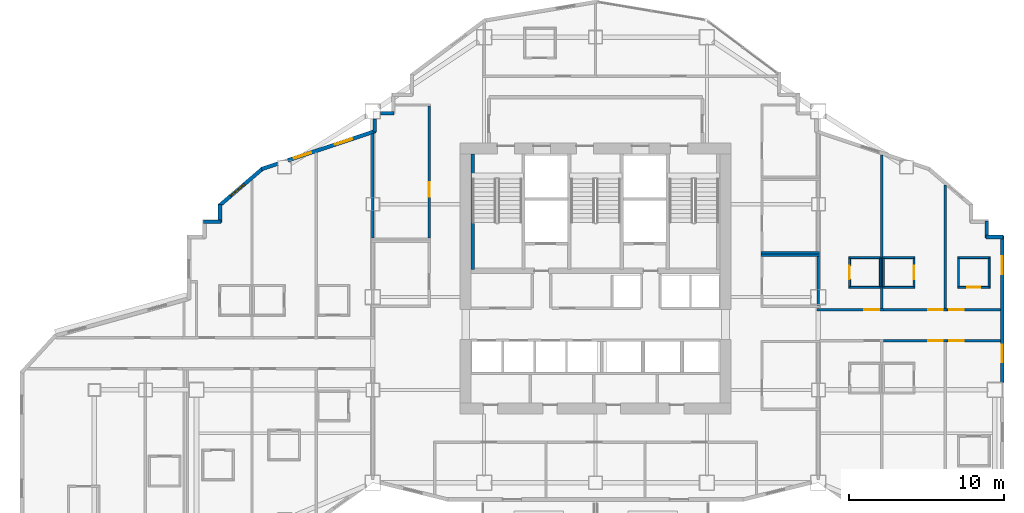
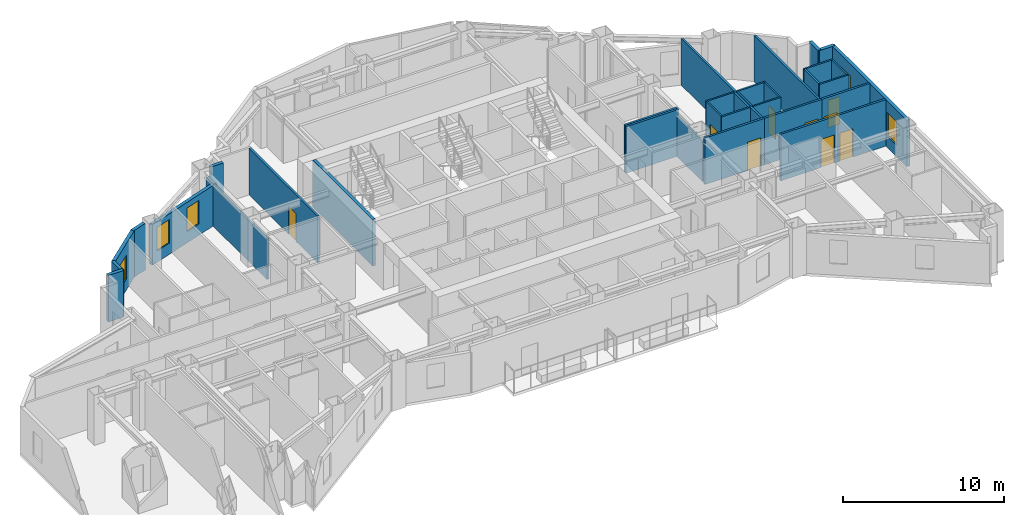
# One storey, part 11 of 15: 35 walls, 9 doors, 5 windows, 14 openings.
"""IFC4 building model written with IfcOpenShell, lengths in metres."""

from ifc_helpers import new_model, si_unit, direction, frame, frame_2d, origin, place, context, subcontext, project, spatial, rectangle, extrude, material, layer, layer_set, type_object, element, fill, save


model = new_model("IFC4")

# Units and contexts
model_context = context("Model", 3, precision=1e-05, world=origin(), true_north=direction((0.0, 1.0)))
body_context = subcontext(model_context, "Body", "Model", "MODEL_VIEW")
ifc_project = project(units=[si_unit("LENGTHUNIT", "METRE"), si_unit("AREAUNIT", "SQUARE_METRE"), si_unit("VOLUMEUNIT", "CUBIC_METRE"), si_unit("PLANEANGLEUNIT", "RADIAN"), si_unit("MASSUNIT", "GRAM", prefix="KILO")], contexts=[model_context])

# Site, building, storey
site_placement = place(None, origin())
site = spatial("IfcSite", under=ifc_project, at=site_placement, CompositionType="ELEMENT")
building_placement = place(site_placement, origin())
building = spatial("IfcBuilding", under=site, at=building_placement, Name="Haolan Belvedere Tower", CompositionType="ELEMENT")
storey_placement = place(building_placement, frame((0.0, 0.0, 156.199951171875)))
storey = spatial("IfcBuildingStorey", under=building, at=storey_placement, Name="L39", CompositionType="ELEMENT", Elevation=156.199951171875)

# Wall, openings, windows
ifc_material_1 = material(Name="Precast concrete C40/50", Category="concrete")
ifc_layer_1 = layer(ifc_material_1, 0.239990234375, Name="Precast concrete C40/50")
ifc_layer_set_1 = layer_set([ifc_layer_1], Name="Precast concrete C40/50")
wall_type_1 = type_object("IfcWallType", Name="WL-EXT-240", PredefinedType="SOLIDWALL", material=ifc_layer_set_1)
wall_1_placement = place(storey_placement, frame((64.679931640625, 28.092041015625, 0.0), z_axis=(0.0, 0.0, 1.0), x_axis=(0.0, 1.0, 0.0)))
wall_1 = element("IfcWall", 1, at=wall_1_placement, inside=storey, type_object=wall_type_1, Name="L39 pale-metal exterior spandrel wall 14.2", PredefinedType="SOLIDWALL", context=body_context, shape_type="SweptSolid", body=[
    extrude(rectangle(XDim=9.44287109375, YDim=0.239990234375, at=frame_2d((4.721435546875, 0.0))), origin(), (0.0, 0.0, 1.0), 3.5400390625),
])
opening_1_placement = place(wall_1_placement, frame((1.29296875, 0.0, 0.85009765625)))
opening_1 = element("IfcOpeningElement", 2, at=opening_1_placement, cuts=wall_1, Name="Opening W-02", PredefinedType="OPENING", context=body_context, shape_type="SweptSolid", body=[
    extrude(rectangle(XDim=1.14990234375, YDim=1.800048828125, at=frame_2d((0.574951171875, 0.89990234375))), frame((0.0, 0.1298828125, 0.0), z_axis=(0.0, -1.0, 0.0), x_axis=(1.0, 0.0, 0.0)), (0.0, 0.0, 1.0), 0.260009765625),
])
opening_2_placement = place(wall_1_placement, frame((7.0, 0.0, 0.85009765625)))
opening_2 = element("IfcOpeningElement", 3, at=opening_2_placement, cuts=wall_1, Name="Opening W-02", PredefinedType="OPENING", context=body_context, shape_type="SweptSolid", body=[
    extrude(rectangle(XDim=1.14990234375, YDim=1.800048828125, at=frame_2d((0.574951171875, 0.89990234375))), frame((0.0, 0.1298828125, 0.0), z_axis=(0.0, -1.0, 0.0), x_axis=(1.0, 0.0, 0.0)), (0.0, 0.0, 1.0), 0.260009765625),
])
ifc_material_2 = material(Name="Anodised aluminium 6063-T6 and Low-E glass", Category="aluminium")
window_type = type_object("IfcWindowType", Name="WN-DECO-Z2", PartitioningType="SINGLE_PANEL", PredefinedType="WINDOW", material=ifc_material_2)
window_1_placement = place(opening_1_placement, origin())
window_1 = element("IfcWindow", 4, at=window_1_placement, inside=storey, type_object=window_type, Name="L39 Art Deco chevron window 1", OverallHeight=1.800048828125, OverallWidth=1.14990234375, PartitioningType="SINGLE_PANEL", PredefinedType="WINDOW", context=body_context, shape_type="SweptSolid", body=[
    extrude(rectangle(XDim=1.14990234375, YDim=1.800048828125, at=frame_2d((0.574951171875, 0.89990234375))), frame((0.0, 0.030029296875, 0.0), z_axis=(0.0, -1.0, 0.0), x_axis=(1.0, 0.0, 0.0)), (0.0, 0.0, 1.0), 0.06005859375),
])
fill(opening_1, window_1)
window_2_placement = place(opening_2_placement, origin())
window_2 = element("IfcWindow", 5, at=window_2_placement, inside=storey, type_object=window_type, Name="L39 Art Deco chevron window 2", OverallHeight=1.800048828125, OverallWidth=1.14990234375, PartitioningType="SINGLE_PANEL", PredefinedType="WINDOW", context=body_context, shape_type="SweptSolid", body=[
    extrude(rectangle(XDim=1.14990234375, YDim=1.800048828125, at=frame_2d((0.574951171875, 0.89990234375))), frame((0.0, 0.030029296875, 0.0), z_axis=(0.0, -1.0, 0.0), x_axis=(1.0, 0.0, 0.0)), (0.0, 0.0, 1.0), 0.06005859375),
])
fill(opening_2, window_2)

# Walls
wall_2_placement = place(storey_placement, frame((64.735107421875, 37.47998046875, 0.0), z_axis=(0.0, 0.0, 1.0), x_axis=(-1.0, 0.0, 0.0)))
element("IfcWall", 6, at=wall_2_placement, inside=storey, type_object=wall_type_1, Name="L39 pale-metal exterior spandrel wall 15.1", PredefinedType="SOLIDWALL", context=body_context, shape_type="SweptSolid", body=[
    extrude(rectangle(XDim=1.110107421875, YDim=0.239990234375, at=frame_2d((0.55517578125, 0.0))), origin(), (0.0, 0.0, 1.0), 3.5400390625),
])
wall_3_placement = place(storey_placement, frame((63.679931640625, 37.425048828125, 0.0), z_axis=(0.0, 0.0, 1.0), x_axis=(0.0, 1.0, 0.0)))
element("IfcWall", 7, at=wall_3_placement, inside=storey, type_object=wall_type_1, Name="L39 pale-metal exterior spandrel wall 16.1", PredefinedType="SOLIDWALL", context=body_context, shape_type="SweptSolid", body=[
    extrude(rectangle(XDim=1.10986328125, YDim=0.239990234375, at=frame_2d((0.554931640625, 0.0))), origin(), (0.0, 0.0, 1.0), 3.5400390625),
])
wall_4_placement = place(storey_placement, frame((25.375, 45.47998046875, 0.0), z_axis=(0.0, 0.0, 1.0), x_axis=(-1.0, 0.0, 0.0)))
element("IfcWall", 8, at=wall_4_placement, inside=storey, type_object=wall_type_1, Name="L39 pale-metal exterior spandrel wall 33.1", PredefinedType="SOLIDWALL", context=body_context, shape_type="SweptSolid", body=[
    extrude(rectangle(XDim=0.883056640625, YDim=0.239990234375, at=frame_2d((0.44140625, 0.0))), origin(), (0.0, 0.0, 1.0), 3.5400390625),
])
wall_5_placement = place(storey_placement, frame((24.1201171875, 45.10791015625, 0.0), z_axis=(0.0, 0.0, 1.0), x_axis=(0.0, -1.0, 0.0)))
element("IfcWall", 9, at=wall_5_placement, inside=storey, type_object=wall_type_1, Name="L39 pale-metal exterior spandrel wall 34.1", PredefinedType="SOLIDWALL", context=body_context, shape_type="SweptSolid", body=[
    extrude(rectangle(XDim=0.849365234375, YDim=0.239990234375, at=frame_2d((0.4248046875, 0.0))), origin(), (0.0, 0.0, 1.0), 3.0849609375),
])

# Wall, openings, windows
wall_6_placement = place(storey_placement, frame((24.172119140625, 44.330810546875, 0.0), z_axis=(0.0, 0.0, 1.0), x_axis=(-0.948683298051, -0.316227766017, 0.0)))
wall_6 = element("IfcWall", 10, at=wall_6_placement, inside=storey, type_object=wall_type_1, Name="L39 pale-metal exterior spandrel wall 35.1", PredefinedType="SOLIDWALL", context=body_context, shape_type="SweptSolid", body=[
    extrude(rectangle(XDim=5.973388671875, YDim=0.239990234375, at=frame_2d((2.98681640625, 0.0))), origin(), (0.0, 0.0, 1.0), 3.0849609375),
])
opening_3_placement = place(wall_6_placement, frame((1.60009765625, 0.0, 0.85009765625)))
opening_3 = element("IfcOpeningElement", 11, at=opening_3_placement, cuts=wall_6, Name="Opening W-02", PredefinedType="OPENING", context=body_context, shape_type="SweptSolid", body=[
    extrude(rectangle(XDim=1.14990234375, YDim=1.800048828125, at=frame_2d((0.574951171875, 0.89990234375))), frame((0.0, 0.1298828125, 0.0), z_axis=(0.0, -1.0, 0.0), x_axis=(1.0, 0.0, 0.0)), (0.0, 0.0, 1.0), 0.260009765625),
])
opening_4_placement = place(wall_6_placement, frame((4.399658203125, 0.0, 0.85009765625)))
opening_4 = element("IfcOpeningElement", 12, at=opening_4_placement, cuts=wall_6, Name="Opening W-02", PredefinedType="OPENING", context=body_context, shape_type="SweptSolid", body=[
    extrude(rectangle(XDim=1.14990234375, YDim=1.800048828125, at=frame_2d((0.574951171875, 0.89990234375))), frame((0.0, 0.1298828125, 0.0), z_axis=(0.0, -1.0, 0.0), x_axis=(1.0, 0.0, 0.0)), (0.0, 0.0, 1.0), 0.260009765625),
])
window_3_placement = place(opening_3_placement, origin())
window_3 = element("IfcWindow", 13, at=window_3_placement, inside=storey, type_object=window_type, Name="L39 Art Deco chevron window 1", OverallHeight=1.800048828125, OverallWidth=1.14990234375, PartitioningType="SINGLE_PANEL", PredefinedType="WINDOW", context=body_context, shape_type="SweptSolid", body=[
    extrude(rectangle(XDim=1.14990234375, YDim=1.800048828125, at=frame_2d((0.574951171875, 0.89990234375))), frame((0.0, 0.030029296875, 0.0), z_axis=(0.0, -1.0, 0.0), x_axis=(1.0, 0.0, 0.0)), (0.0, 0.0, 1.0), 0.06005859375),
])
fill(opening_3, window_3)
window_4_placement = place(opening_4_placement, origin())
window_4 = element("IfcWindow", 14, at=window_4_placement, inside=storey, type_object=window_type, Name="L39 Art Deco guestroom window 1", OverallHeight=1.800048828125, OverallWidth=1.14990234375, PartitioningType="SINGLE_PANEL", PredefinedType="WINDOW", context=body_context, shape_type="SweptSolid", body=[
    extrude(rectangle(XDim=1.14990234375, YDim=1.800048828125, at=frame_2d((0.574951171875, 0.89990234375))), frame((0.0, 0.030029296875, 0.0), z_axis=(0.0, -1.0, 0.0), x_axis=(1.0, 0.0, 0.0)), (0.0, 0.0, 1.0), 0.06005859375),
])
fill(opening_4, window_4)

# Wall
wall_7_placement = place(storey_placement, frame((17.85791015625, 42.226318359375, 0.0), z_axis=(0.0, 0.0, 1.0), x_axis=(-0.948639166064, -0.316360131194, 0.0)))
element("IfcWall", 15, at=wall_7_placement, inside=storey, type_object=wall_type_1, Name="L39 pale-metal exterior spandrel wall 35.2", PredefinedType="SOLIDWALL", context=body_context, shape_type="SweptSolid", body=[
    extrude(rectangle(XDim=1.106689453125, YDim=0.239990234375, at=frame_2d((0.55322265625, 0.0))), origin(), (0.0, 0.0, 1.0), 3.5400390625),
])

# Wall, opening, window
wall_8_placement = place(storey_placement, frame((16.902099609375, 41.929443359375, 0.0), z_axis=(0.0, 0.0, 1.0), x_axis=(-0.759275136126, -0.650769750112, 0.0)))
wall_8 = element("IfcWall", 16, at=wall_8_placement, inside=storey, type_object=wall_type_1, Name="L39 pale-metal exterior spandrel wall 36.1", PredefinedType="SOLIDWALL", context=body_context, shape_type="SweptSolid", body=[
    extrude(rectangle(XDim=3.71923828125, YDim=0.239990234375, at=frame_2d((1.859619140625, 0.0))), origin(), (0.0, 0.0, 1.0), 3.5400390625),
])
opening_5_placement = place(wall_8_placement, frame((1.60009765625, 0.0, 0.85009765625)))
opening_5 = element("IfcOpeningElement", 17, at=opening_5_placement, cuts=wall_8, Name="Opening W-02", PredefinedType="OPENING", context=body_context, shape_type="SweptSolid", body=[
    extrude(rectangle(XDim=1.14990234375, YDim=1.800048828125, at=frame_2d((0.574951171875, 0.89990234375))), frame((0.0, 0.1298828125, 0.0), z_axis=(0.0, -1.0, 0.0), x_axis=(1.0, 0.0, 0.0)), (0.0, 0.0, 1.0), 0.260009765625),
])
window_5_placement = place(opening_5_placement, origin())
window_5 = element("IfcWindow", 18, at=window_5_placement, inside=storey, type_object=window_type, Name="L39 Art Deco chevron window 1", OverallHeight=1.800048828125, OverallWidth=1.14990234375, PartitioningType="SINGLE_PANEL", PredefinedType="WINDOW", context=body_context, shape_type="SweptSolid", body=[
    extrude(rectangle(XDim=1.14990234375, YDim=1.800048828125, at=frame_2d((0.574951171875, 0.89990234375))), frame((0.0, 0.030029296875, 0.0), z_axis=(0.0, -1.0, 0.0), x_axis=(1.0, 0.0, 0.0)), (0.0, 0.0, 1.0), 0.06005859375),
])
fill(opening_5, window_5)

# Walls
wall_9_placement = place(storey_placement, frame((14.1201171875, 39.599853515625, 0.0), z_axis=(0.0, 0.0, 1.0), x_axis=(0.0, -1.0, 0.0)))
element("IfcWall", 19, at=wall_9_placement, inside=storey, type_object=wall_type_1, Name="L39 pale-metal exterior spandrel wall 37.1", PredefinedType="SOLIDWALL", context=body_context, shape_type="SweptSolid", body=[
    extrude(rectangle(XDim=1.1748046875, YDim=0.239990234375, at=frame_2d((0.58740234375, 0.0))), origin(), (0.0, 0.0, 1.0), 3.5400390625),
])
wall_10_placement = place(storey_placement, frame((14.175048828125, 38.47998046875, 0.0), z_axis=(0.0, 0.0, 1.0), x_axis=(-1.0, 0.0, 0.0)))
element("IfcWall", 20, at=wall_10_placement, inside=storey, type_object=wall_type_1, Name="L39 pale-metal exterior spandrel wall 38.1", PredefinedType="SOLIDWALL", context=body_context, shape_type="SweptSolid", body=[
    extrude(rectangle(XDim=1.110107421875, YDim=0.239990234375, at=frame_2d((0.55517578125, 0.0))), origin(), (0.0, 0.0, 1.0), 3.5400390625),
])
ifc_material_3 = material(Name="Double gypsum acoustic stud partition", Category="masonry")
ifc_layer_2 = layer(ifc_material_3, 0.14990234375, Name="Double gypsum acoustic stud partition")
ifc_layer_set_2 = layer_set([ifc_layer_2], Name="Double gypsum acoustic stud partition")
wall_type_2 = type_object("IfcWallType", Name="WL-PART-150", PredefinedType="PARTITIONING", material=ifc_layer_set_2)
wall_11_placement = place(storey_placement, frame((24.0, 37.419921875, 0.0), z_axis=(0.0, 0.0, 1.0), x_axis=(0.0, 1.0, 0.0)))
element("IfcWall", 21, at=wall_11_placement, inside=storey, type_object=wall_type_2, Name="L39 interior partition IW-L39-MTG-W", PredefinedType="PARTITIONING", context=body_context, shape_type="SweptSolid", body=[
    extrude(rectangle(XDim=6.742919921875, YDim=0.14990234375, at=frame_2d((3.37158203125, 0.0))), origin(), (0.0, 0.0, 1.0), 3.0849609375),
])

# Wall, opening, door
wall_12_placement = place(storey_placement, frame((27.639892578125, 37.419921875, 0.0), z_axis=(0.0, 0.0, 1.0), x_axis=(0.0, 1.0, 0.0)))
wall_12 = element("IfcWall", 22, at=wall_12_placement, inside=storey, type_object=wall_type_2, Name="L39 interior partition IW-L39-MTG-E", PredefinedType="PARTITIONING", context=body_context, shape_type="SweptSolid", body=[
    extrude(rectangle(XDim=8.5400390625, YDim=0.14990234375, at=frame_2d((4.27001953125, 0.0))), origin(), (0.0, 0.0, 1.0), 3.5400390625),
])
opening_6_placement = place(wall_12_placement, frame((3.60986328125, 0.0, 0.0), z_axis=(0.0, 0.0, 1.0), x_axis=(-1.0, 0.0, 0.0)))
opening_6 = element("IfcOpeningElement", 23, at=opening_6_placement, cuts=wall_12, Name="Opening ID-03", PredefinedType="OPENING", context=body_context, shape_type="SweptSolid", body=[
    extrude(rectangle(XDim=0.949951171875, YDim=2.1201171875, at=frame_2d((0.47509765625, 1.06005859375))), frame((0.0, 0.0849609375, 0.0), z_axis=(0.0, -1.0, 0.0), x_axis=(1.0, 0.0, 0.0)), (0.0, 0.0, 1.0), 0.169921875),
])
ifc_material_4 = material(Name="Painted solid-core timber", Category="wood")
door_type_1 = type_object("IfcDoorType", Name="DR-INT-950", OperationType="NOTDEFINED", PredefinedType="DOOR", material=ifc_material_4)
door_1_placement = place(opening_6_placement, origin())
door_1 = element("IfcDoor", 24, at=door_1_placement, inside=storey, type_object=door_type_1, Name="L39 door ID-L39-MTG", OperationType="SINGLE_SWING_RIGHT", OverallHeight=2.1201171875, OverallWidth=0.949951171875, PredefinedType="DOOR", context=body_context, shape_type="SweptSolid", body=[
    extrude(rectangle(XDim=0.949951171875, YDim=2.1201171875, at=frame_2d((0.47509765625, 1.06005859375))), frame((0.0, 0.02490234375, 0.0), z_axis=(0.0, -1.0, 0.0), x_axis=(1.0, 0.0, 0.0)), (0.0, 0.0, 1.0), 0.050048828125),
])
fill(opening_6, door_1)

# Walls
wall_13_placement = place(storey_placement, frame((49.080078125, 36.300048828125, 0.0), z_axis=(0.0, 0.0, 1.0), x_axis=(1.0, 0.0, 0.0)))
element("IfcWall", 25, at=wall_13_placement, inside=storey, type_object=wall_type_2, Name="L39 interior partition IW-L39-AWC-N", PredefinedType="PARTITIONING", context=body_context, shape_type="SweptSolid", body=[
    extrude(rectangle(XDim=3.7998046875, YDim=0.14990234375, at=frame_2d((1.89990234375, 0.0))), origin(), (0.0, 0.0, 1.0), 3.5400390625),
])
wall_14_placement = place(storey_placement, frame((52.800048828125, 33.06005859375, 0.0), z_axis=(0.0, 0.0, 1.0), x_axis=(0.0, 1.0, 0.0)))
element("IfcWall", 26, at=wall_14_placement, inside=storey, type_object=wall_type_2, Name="L39 interior partition IW-L39-AWC-E", PredefinedType="PARTITIONING", context=body_context, shape_type="SweptSolid", body=[
    extrude(rectangle(XDim=3.179931640625, YDim=0.14990234375, at=frame_2d((1.58984375, 0.0))), origin(), (0.0, 0.0, 1.0), 3.0849609375),
])
wall_15_placement = place(storey_placement, frame((49.080078125, 36.4599609375, 0.0), z_axis=(0.0, 0.0, 1.0), x_axis=(1.0, 0.0, 0.0)))
element("IfcWall", 27, at=wall_15_placement, inside=storey, type_object=wall_type_2, Name="L39 interior partition IW-L39-STY-S", PredefinedType="PARTITIONING", context=body_context, shape_type="SweptSolid", body=[
    extrude(rectangle(XDim=3.7998046875, YDim=0.14990234375, at=frame_2d((1.89990234375, 0.0))), origin(), (0.0, 0.0, 1.0), 3.5400390625),
])

# Wall, opening, door
wall_16_placement = place(storey_placement, frame((52.699951171875, 32.780029296875, 0.0), z_axis=(0.0, 0.0, 1.0), x_axis=(1.0, 0.0, 0.0)))
wall_16 = element("IfcWall", 28, at=wall_16_placement, inside=storey, type_object=wall_type_2, Name="L39 interior partition IW-L39-T4N1-S", PredefinedType="PARTITIONING", context=body_context, shape_type="SweptSolid", body=[
    extrude(rectangle(XDim=4.300048828125, YDim=0.14990234375, at=frame_2d((2.14990234375, 0.0))), origin(), (0.0, 0.0, 1.0), 3.5400390625),
])
opening_7_placement = place(wall_16_placement, frame((3.081787109375, 0.0, 0.0)))
opening_7 = element("IfcOpeningElement", 29, at=opening_7_placement, cuts=wall_16, Name="Opening ID-02", PredefinedType="OPENING", context=body_context, shape_type="SweptSolid", body=[
    extrude(rectangle(XDim=0.949951171875, YDim=2.14990234375, at=frame_2d((0.47509765625, 1.074951171875))), frame((0.0, 0.0849609375, 0.0), z_axis=(0.0, -1.0, 0.0), x_axis=(1.0, 0.0, 0.0)), (0.0, 0.0, 1.0), 0.169921875),
])
ifc_material_5 = material(Name="Acoustic oak veneer fire-rated timber", Category="wood")
door_type_2 = type_object("IfcDoorType", Name="DR-GUEST-950", OperationType="NOTDEFINED", PredefinedType="DOOR", material=ifc_material_5)
door_2_placement = place(opening_7_placement, origin())
door_2 = element("IfcDoor", 30, at=door_2_placement, inside=storey, type_object=door_type_2, Name="L39 door ID-L39-T4N1-ENT", OperationType="SINGLE_SWING_LEFT", OverallHeight=2.14990234375, OverallWidth=0.949951171875, PredefinedType="DOOR", context=body_context, shape_type="SweptSolid", body=[
    extrude(rectangle(XDim=0.949951171875, YDim=2.14990234375, at=frame_2d((0.47509765625, 1.074951171875))), frame((0.0, 0.02490234375, 0.0), z_axis=(0.0, -1.0, 0.0), x_axis=(1.0, 0.0, 0.0)), (0.0, 0.0, 1.0), 0.050048828125),
])
fill(opening_7, door_2)

# Wall
wall_17_placement = place(storey_placement, frame((56.89990234375, 32.840087890625, 0.0), z_axis=(0.0, 0.0, 1.0), x_axis=(0.0, 1.0, 0.0)))
element("IfcWall", 31, at=wall_17_placement, inside=storey, type_object=wall_type_2, Name="L39 interior partition IW-L39-T4N1-E", PredefinedType="PARTITIONING", context=body_context, shape_type="SweptSolid", body=[
    extrude(rectangle(XDim=9.9560546875, YDim=0.14990234375, at=frame_2d((4.97802734375, 0.0))), origin(), (0.0, 0.0, 1.0), 3.5400390625),
])

# Wall, opening, door
wall_18_placement = place(storey_placement, frame((57.001953125, 32.780029296875, 0.0), z_axis=(0.0, 0.0, 1.0), x_axis=(1.0, 0.0, 0.0)))
wall_18 = element("IfcWall", 32, at=wall_18_placement, inside=storey, type_object=wall_type_2, Name="L39 interior partition IW-L39-T4N2-S", PredefinedType="PARTITIONING", context=body_context, shape_type="SweptSolid", body=[
    extrude(rectangle(XDim=4.108154296875, YDim=0.14990234375, at=frame_2d((2.05419921875, 0.0))), origin(), (0.0, 0.0, 1.0), 3.5400390625),
])
opening_8_placement = place(wall_18_placement, frame((2.896484375, 0.0, 0.0)))
opening_8 = element("IfcOpeningElement", 33, at=opening_8_placement, cuts=wall_18, Name="Opening ID-02", PredefinedType="OPENING", context=body_context, shape_type="SweptSolid", body=[
    extrude(rectangle(XDim=0.949951171875, YDim=2.14990234375, at=frame_2d((0.47509765625, 1.074951171875))), frame((0.0, 0.0849609375, 0.0), z_axis=(0.0, -1.0, 0.0), x_axis=(1.0, 0.0, 0.0)), (0.0, 0.0, 1.0), 0.169921875),
])
door_3_placement = place(opening_8_placement, origin())
door_3 = element("IfcDoor", 34, at=door_3_placement, inside=storey, type_object=door_type_2, Name="L39 door ID-L39-T4N2-ENT", OperationType="SINGLE_SWING_RIGHT", OverallHeight=2.14990234375, OverallWidth=0.949951171875, PredefinedType="DOOR", context=body_context, shape_type="SweptSolid", body=[
    extrude(rectangle(XDim=0.949951171875, YDim=2.14990234375, at=frame_2d((0.47509765625, 1.074951171875))), frame((0.0, 0.02490234375, 0.0), z_axis=(0.0, -1.0, 0.0), x_axis=(1.0, 0.0, 0.0)), (0.0, 0.0, 1.0), 0.050048828125),
])
fill(opening_8, door_3)

# Wall
wall_19_placement = place(storey_placement, frame((61.010009765625, 32.840087890625, 0.0), z_axis=(0.0, 0.0, 1.0), x_axis=(0.0, 1.0, 0.0)))
element("IfcWall", 35, at=wall_19_placement, inside=storey, type_object=wall_type_2, Name="L39 interior partition IW-L39-T4N2-E", PredefinedType="PARTITIONING", context=body_context, shape_type="SweptSolid", body=[
    extrude(rectangle(XDim=7.997802734375, YDim=0.14990234375, at=frame_2d((3.9990234375, 0.0))), origin(), (0.0, 0.0, 1.0), 3.5400390625),
])

# Wall, opening, door
wall_20_placement = place(storey_placement, frame((61.112060546875, 32.780029296875, 0.0), z_axis=(0.0, 0.0, 1.0), x_axis=(1.0, 0.0, 0.0)))
wall_20 = element("IfcWall", 36, at=wall_20_placement, inside=storey, type_object=wall_type_2, Name="L39 interior partition IW-L39-T4N3-S", PredefinedType="PARTITIONING", context=body_context, shape_type="SweptSolid", body=[
    extrude(rectangle(XDim=3.462890625, YDim=0.14990234375, at=frame_2d((1.7314453125, 0.0))), origin(), (0.0, 0.0, 1.0), 3.5400390625),
])
opening_9_placement = place(wall_20_placement, frame((0.139892578125, 0.0, 0.0)))
opening_9 = element("IfcOpeningElement", 37, at=opening_9_placement, cuts=wall_20, Name="Opening ID-02", PredefinedType="OPENING", context=body_context, shape_type="SweptSolid", body=[
    extrude(rectangle(XDim=0.949951171875, YDim=2.14990234375, at=frame_2d((0.47509765625, 1.074951171875))), frame((0.0, 0.0849609375, 0.0), z_axis=(0.0, -1.0, 0.0), x_axis=(1.0, 0.0, 0.0)), (0.0, 0.0, 1.0), 0.169921875),
])
door_4_placement = place(opening_9_placement, origin())
door_4 = element("IfcDoor", 38, at=door_4_placement, inside=storey, type_object=door_type_2, Name="L39 door ID-L39-T4N3-ENT", OperationType="SINGLE_SWING_LEFT", OverallHeight=2.14990234375, OverallWidth=0.949951171875, PredefinedType="DOOR", context=body_context, shape_type="SweptSolid", body=[
    extrude(rectangle(XDim=0.949951171875, YDim=2.14990234375, at=frame_2d((0.47509765625, 1.074951171875))), frame((0.0, 0.02490234375, 0.0), z_axis=(0.0, -1.0, 0.0), x_axis=(1.0, 0.0, 0.0)), (0.0, 0.0, 1.0), 0.050048828125),
])
fill(opening_9, door_4)

wall_21_placement = place(storey_placement, frame((57.001953125, 30.77001953125, 0.0), z_axis=(0.0, 0.0, 1.0), x_axis=(1.0, 0.0, 0.0)))
wall_21 = element("IfcWall", 39, at=wall_21_placement, inside=storey, type_object=wall_type_2, Name="L39 interior partition IW-L39-T4S2-N", PredefinedType="PARTITIONING", context=body_context, shape_type="SweptSolid", body=[
    extrude(rectangle(XDim=4.108154296875, YDim=0.14990234375, at=frame_2d((2.05419921875, 0.0))), origin(), (0.0, 0.0, 1.0), 3.5400390625),
])
opening_10_placement = place(wall_21_placement, frame((3.846435546875, 0.0, 0.0), z_axis=(0.0, 0.0, 1.0), x_axis=(-1.0, 0.0, 0.0)))
opening_10 = element("IfcOpeningElement", 40, at=opening_10_placement, cuts=wall_21, Name="Opening ID-02", PredefinedType="OPENING", context=body_context, shape_type="SweptSolid", body=[
    extrude(rectangle(XDim=0.949951171875, YDim=2.14990234375, at=frame_2d((0.47509765625, 1.074951171875))), frame((0.0, 0.0849609375, 0.0), z_axis=(0.0, -1.0, 0.0), x_axis=(1.0, 0.0, 0.0)), (0.0, 0.0, 1.0), 0.169921875),
])
door_5_placement = place(opening_10_placement, origin())
door_5 = element("IfcDoor", 41, at=door_5_placement, inside=storey, type_object=door_type_2, Name="L39 door ID-L39-T4S2-ENT", OperationType="SINGLE_SWING_LEFT", OverallHeight=2.14990234375, OverallWidth=0.949951171875, PredefinedType="DOOR", context=body_context, shape_type="SweptSolid", body=[
    extrude(rectangle(XDim=0.949951171875, YDim=2.14990234375, at=frame_2d((0.47509765625, 1.074951171875))), frame((0.0, 0.02490234375, 0.0), z_axis=(0.0, -1.0, 0.0), x_axis=(1.0, 0.0, 0.0)), (0.0, 0.0, 1.0), 0.050048828125),
])
fill(opening_10, door_5)

wall_22_placement = place(storey_placement, frame((61.112060546875, 30.77001953125, 0.0), z_axis=(0.0, 0.0, 1.0), x_axis=(1.0, 0.0, 0.0)))
wall_22 = element("IfcWall", 42, at=wall_22_placement, inside=storey, type_object=wall_type_2, Name="L39 interior partition IW-L39-T4S3-N", PredefinedType="PARTITIONING", context=body_context, shape_type="SweptSolid", body=[
    extrude(rectangle(XDim=3.462890625, YDim=0.14990234375, at=frame_2d((1.7314453125, 0.0))), origin(), (0.0, 0.0, 1.0), 3.5400390625),
])
opening_11_placement = place(wall_22_placement, frame((1.08984375, 0.0, 0.0), z_axis=(0.0, 0.0, 1.0), x_axis=(-1.0, 0.0, 0.0)))
opening_11 = element("IfcOpeningElement", 43, at=opening_11_placement, cuts=wall_22, Name="Opening ID-02", PredefinedType="OPENING", context=body_context, shape_type="SweptSolid", body=[
    extrude(rectangle(XDim=0.949951171875, YDim=2.14990234375, at=frame_2d((0.47509765625, 1.074951171875))), frame((0.0, 0.0849609375, 0.0), z_axis=(0.0, -1.0, 0.0), x_axis=(1.0, 0.0, 0.0)), (0.0, 0.0, 1.0), 0.169921875),
])
door_6_placement = place(opening_11_placement, origin())
door_6 = element("IfcDoor", 44, at=door_6_placement, inside=storey, type_object=door_type_2, Name="L39 door ID-L39-T4S3-ENT", OperationType="SINGLE_SWING_RIGHT", OverallHeight=2.14990234375, OverallWidth=0.949951171875, PredefinedType="DOOR", context=body_context, shape_type="SweptSolid", body=[
    extrude(rectangle(XDim=0.949951171875, YDim=2.14990234375, at=frame_2d((0.47509765625, 1.074951171875))), frame((0.0, 0.02490234375, 0.0), z_axis=(0.0, -1.0, 0.0), x_axis=(1.0, 0.0, 0.0)), (0.0, 0.0, 1.0), 0.050048828125),
])
fill(opening_11, door_6)

# Walls
ifc_material_6 = material(Name="Concrete C50/60", Category="concrete")
ifc_layer_3 = layer(ifc_material_6, 0.219970703125, Name="Concrete C50/60")
ifc_layer_set_3 = layer_set([ifc_layer_3], Name="Concrete C50/60")
wall_type_3 = type_object("IfcWallType", Name="WL-STAIR-220", PredefinedType="SHEAR", material=ifc_layer_set_3)
wall_23_placement = place(storey_placement, frame((30.4619140625, 35.389892578125, 0.0), z_axis=(0.0, 0.0, 1.0), x_axis=(0.0, 1.0, 0.0)))
element("IfcWall", 45, at=wall_23_placement, inside=storey, type_object=wall_type_3, Name="L39 structural stair core wall ST1W", PredefinedType="SHEAR", context=body_context, shape_type="SweptSolid", body=[
    extrude(rectangle(XDim=7.460205078125, YDim=0.219970703125, at=frame_2d((3.72998046875, 0.0))), origin(), (0.0, 0.0, 1.0), 3.5400390625),
])
ifc_material_7 = material(Name="Moisture-resistant gypsum tile partition", Category="masonry")
ifc_layer_4 = layer(ifc_material_7, 0.1201171875, Name="Moisture-resistant gypsum tile partition")
ifc_layer_set_4 = layer_set([ifc_layer_4], Name="Moisture-resistant gypsum tile partition")
wall_type_4 = type_object("IfcWallType", Name="WL-WET-120", PredefinedType="PARTITIONING", material=ifc_layer_set_4)
for number, where, z_axis, x_axis, name in (
    (46, (54.760009765625, 36.14990234375, 0.0), (0.0, 0.0, 1.0), (1.0, 0.0, 0.0), "L39 interior partition IW-L39-T4N1-BN"),
    (47, (54.760009765625, 34.22998046875, 0.0), (0.0, 0.0, 1.0), (1.0, 0.0, 0.0), "L39 interior partition IW-L39-T4N1-BS"),
):
    element("IfcWall", number, at=place(storey_placement, frame(where, z_axis=z_axis, x_axis=x_axis)), inside=storey, type_object=wall_type_4, Name=name, PredefinedType="PARTITIONING", context=body_context, shape_type="SweptSolid", body=[
        extrude(rectangle(XDim=2.080078125, YDim=0.1201171875, at=frame_2d((1.0400390625, 0.0))), origin(), (0.0, 0.0, 1.0), 3.5400390625),
    ])

# Wall, opening, door
wall_24_placement = place(storey_placement, frame((54.820068359375, 34.27490234375, 0.0), z_axis=(0.0, 0.0, 1.0), x_axis=(0.0, 1.0, 0.0)))
wall_24 = element("IfcWall", 48, at=wall_24_placement, inside=storey, type_object=wall_type_4, Name="L39 interior partition IW-L39-T4N1-BW", PredefinedType="PARTITIONING", context=body_context, shape_type="SweptSolid", body=[
    extrude(rectangle(XDim=1.830078125, YDim=0.1201171875, at=frame_2d((0.9150390625, 0.0))), origin(), (0.0, 0.0, 1.0), 3.5400390625),
])
opening_12_placement = place(wall_24_placement, frame((1.340087890625, 0.0, 0.0), z_axis=(0.0, 0.0, 1.0), x_axis=(-1.0, 0.0, 0.0)))
opening_12 = element("IfcOpeningElement", 49, at=opening_12_placement, cuts=wall_24, Name="Opening ID-05", PredefinedType="OPENING", context=body_context, shape_type="SweptSolid", body=[
    extrude(rectangle(XDim=0.85009765625, YDim=2.10009765625, at=frame_2d((0.425048828125, 1.050048828125))), frame((0.0, 0.070068359375, 0.0), z_axis=(0.0, -1.0, 0.0), x_axis=(1.0, 0.0, 0.0)), (0.0, 0.0, 1.0), 0.14013671875),
])
ifc_material_8 = material(Name="Moisture-resistant lacquered timber", Category="wood")
door_type_3 = type_object("IfcDoorType", Name="DR-BATH-850", OperationType="NOTDEFINED", PredefinedType="DOOR", material=ifc_material_8)
door_7_placement = place(opening_12_placement, origin())
door_7 = element("IfcDoor", 50, at=door_7_placement, inside=storey, type_object=door_type_3, Name="L39 door ID-L39-T4N1-BATH", OperationType="SINGLE_SWING_RIGHT", OverallHeight=2.10009765625, OverallWidth=0.85009765625, PredefinedType="DOOR", context=body_context, shape_type="SweptSolid", body=[
    extrude(rectangle(XDim=0.85009765625, YDim=2.10009765625, at=frame_2d((0.425048828125, 1.050048828125))), frame((0.0, 0.02490234375, 0.0), z_axis=(0.0, -1.0, 0.0), x_axis=(1.0, 0.0, 0.0)), (0.0, 0.0, 1.0), 0.050048828125),
])
fill(opening_12, door_7)

# Walls
wall_25_placement = place(storey_placement, frame((56.800048828125, 34.27490234375, 0.0), z_axis=(0.0, 0.0, 1.0), x_axis=(0.0, 1.0, 0.0)))
element("IfcWall", 51, at=wall_25_placement, inside=storey, type_object=wall_type_4, Name="L39 interior partition IW-L39-T4N1-BE", PredefinedType="PARTITIONING", context=body_context, shape_type="SweptSolid", body=[
    extrude(rectangle(XDim=1.830078125, YDim=0.1201171875, at=frame_2d((0.9150390625, 0.0))), origin(), (0.0, 0.0, 1.0), 3.5400390625),
])
for number, where, z_axis, x_axis, name in (
    (52, (56.9599609375, 36.14990234375, 0.0), (0.0, 0.0, 1.0), (1.0, 0.0, 0.0), "L39 interior partition IW-L39-T4N2-BN"),
    (53, (56.9599609375, 34.22998046875, 0.0), (0.0, 0.0, 1.0), (1.0, 0.0, 0.0), "L39 interior partition IW-L39-T4N2-BS"),
):
    element("IfcWall", number, at=place(storey_placement, frame(where, z_axis=z_axis, x_axis=x_axis)), inside=storey, type_object=wall_type_4, Name=name, PredefinedType="PARTITIONING", context=body_context, shape_type="SweptSolid", body=[
        extrude(rectangle(XDim=2.080078125, YDim=0.1201171875, at=frame_2d((1.0400390625, 0.0))), origin(), (0.0, 0.0, 1.0), 3.5400390625),
    ])
wall_26_placement = place(storey_placement, frame((57.0, 34.27490234375, 0.0), z_axis=(0.0, 0.0, 1.0), x_axis=(0.0, 1.0, 0.0)))
element("IfcWall", 54, at=wall_26_placement, inside=storey, type_object=wall_type_4, Name="L39 interior partition IW-L39-T4N2-BW", PredefinedType="PARTITIONING", context=body_context, shape_type="SweptSolid", body=[
    extrude(rectangle(XDim=1.830078125, YDim=0.1201171875, at=frame_2d((0.9150390625, 0.0))), origin(), (0.0, 0.0, 1.0), 3.5400390625),
])

# Wall, opening, door
wall_27_placement = place(storey_placement, frame((58.97998046875, 34.27490234375, 0.0), z_axis=(0.0, 0.0, 1.0), x_axis=(0.0, 1.0, 0.0)))
wall_27 = element("IfcWall", 55, at=wall_27_placement, inside=storey, type_object=wall_type_4, Name="L39 interior partition IW-L39-T4N2-BE", PredefinedType="PARTITIONING", context=body_context, shape_type="SweptSolid", body=[
    extrude(rectangle(XDim=1.830078125, YDim=0.1201171875, at=frame_2d((0.9150390625, 0.0))), origin(), (0.0, 0.0, 1.0), 3.5400390625),
])
opening_13_placement = place(wall_27_placement, frame((0.489990234375, 0.0, 0.0)))
opening_13 = element("IfcOpeningElement", 56, at=opening_13_placement, cuts=wall_27, Name="Opening ID-05", PredefinedType="OPENING", context=body_context, shape_type="SweptSolid", body=[
    extrude(rectangle(XDim=0.85009765625, YDim=2.10009765625, at=frame_2d((0.425048828125, 1.050048828125))), frame((0.0, 0.070068359375, 0.0), z_axis=(0.0, -1.0, 0.0), x_axis=(1.0, 0.0, 0.0)), (0.0, 0.0, 1.0), 0.14013671875),
])
door_8_placement = place(opening_13_placement, origin())
door_8 = element("IfcDoor", 57, at=door_8_placement, inside=storey, type_object=door_type_3, Name="L39 door ID-L39-T4N2-BATH", OperationType="SINGLE_SWING_LEFT", OverallHeight=2.10009765625, OverallWidth=0.85009765625, PredefinedType="DOOR", context=body_context, shape_type="SweptSolid", body=[
    extrude(rectangle(XDim=0.85009765625, YDim=2.10009765625, at=frame_2d((0.425048828125, 1.050048828125))), frame((0.0, 0.02490234375, 0.0), z_axis=(0.0, -1.0, 0.0), x_axis=(1.0, 0.0, 0.0)), (0.0, 0.0, 1.0), 0.050048828125),
])
fill(opening_13, door_8)

# Wall
wall_28_placement = place(storey_placement, frame((61.797119140625, 36.14990234375, 0.0), z_axis=(0.0, 0.0, 1.0), x_axis=(1.0, 0.0, 0.0)))
element("IfcWall", 58, at=wall_28_placement, inside=storey, type_object=wall_type_4, Name="L39 interior partition IW-L39-T4N3-BN", PredefinedType="PARTITIONING", context=body_context, shape_type="SweptSolid", body=[
    extrude(rectangle(XDim=2.099853515625, YDim=0.1201171875, at=frame_2d((1.0498046875, 0.0))), origin(), (0.0, 0.0, 1.0), 3.5400390625),
])

# Wall, opening, door
wall_29_placement = place(storey_placement, frame((61.797119140625, 34.22998046875, 0.0), z_axis=(0.0, 0.0, 1.0), x_axis=(1.0, 0.0, 0.0)))
wall_29 = element("IfcWall", 59, at=wall_29_placement, inside=storey, type_object=wall_type_4, Name="L39 interior partition IW-L39-T4N3-BS", PredefinedType="PARTITIONING", context=body_context, shape_type="SweptSolid", body=[
    extrude(rectangle(XDim=2.099853515625, YDim=0.1201171875, at=frame_2d((1.0498046875, 0.0))), origin(), (0.0, 0.0, 1.0), 3.5400390625),
])
opening_14_placement = place(wall_29_placement, frame((0.625, 0.0, 0.0)))
opening_14 = element("IfcOpeningElement", 60, at=opening_14_placement, cuts=wall_29, Name="Opening ID-05", PredefinedType="OPENING", context=body_context, shape_type="SweptSolid", body=[
    extrude(rectangle(XDim=0.85009765625, YDim=2.10009765625, at=frame_2d((0.425048828125, 1.050048828125))), frame((0.0, 0.070068359375, 0.0), z_axis=(0.0, -1.0, 0.0), x_axis=(1.0, 0.0, 0.0)), (0.0, 0.0, 1.0), 0.14013671875),
])
door_9_placement = place(opening_14_placement, origin())
door_9 = element("IfcDoor", 61, at=door_9_placement, inside=storey, type_object=door_type_3, Name="L39 door ID-L39-T4N3-BATH", OperationType="SINGLE_SWING_RIGHT", OverallHeight=2.10009765625, OverallWidth=0.85009765625, PredefinedType="DOOR", context=body_context, shape_type="SweptSolid", body=[
    extrude(rectangle(XDim=0.85009765625, YDim=2.10009765625, at=frame_2d((0.425048828125, 1.050048828125))), frame((0.0, 0.02490234375, 0.0), z_axis=(0.0, -1.0, 0.0), x_axis=(1.0, 0.0, 0.0)), (0.0, 0.0, 1.0), 0.050048828125),
])
fill(opening_14, door_9)

# Walls
for number, where, z_axis, x_axis, name in (
    (62, (61.85693359375, 34.27490234375, 0.0), (0.0, 0.0, 1.0), (0.0, 1.0, 0.0), "L39 interior partition IW-L39-T4N3-BW"),
    (63, (63.8369140625, 34.27490234375, 0.0), (0.0, 0.0, 1.0), (0.0, 1.0, 0.0), "L39 interior partition IW-L39-T4N3-BE"),
):
    element("IfcWall", number, at=place(storey_placement, frame(where, z_axis=z_axis, x_axis=x_axis)), inside=storey, type_object=wall_type_4, Name=name, PredefinedType="PARTITIONING", context=body_context, shape_type="SweptSolid", body=[
        extrude(rectangle(XDim=1.830078125, YDim=0.1201171875, at=frame_2d((0.9150390625, 0.0))), origin(), (0.0, 0.0, 1.0), 3.5400390625),
    ])

save(model, "model.ifc")
